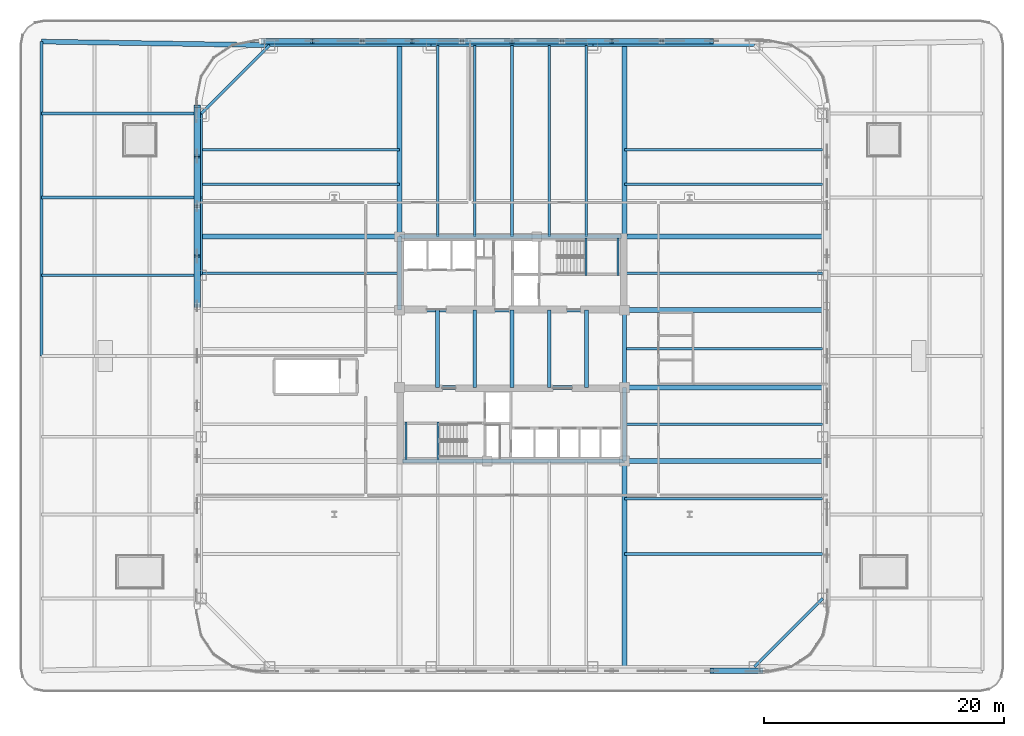
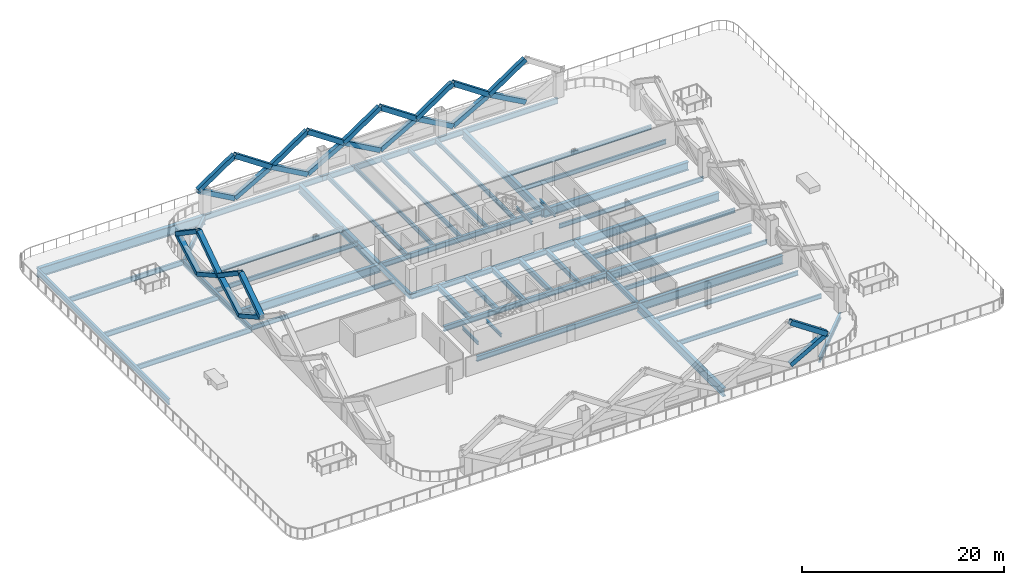
# One storey, part 2 of 17: 50 beams, 28 members.
"""IFC4 building model written with IfcOpenShell, lengths in metres."""

from ifc_helpers import new_model, si_unit, direction, frame, origin, origin_2d, place, context, subcontext, project, spatial, hollow_rectangle, i_section, extrude, material, material_profile, profile_set, type_object, element, save


model = new_model("IFC4")

# Units and contexts
model_context = context("Model", 3, precision=1e-05, world=origin(), true_north=direction((0.0, 1.0)))
body_context = subcontext(model_context, "Body", "Model", "MODEL_VIEW")
ifc_project = project(units=[si_unit("LENGTHUNIT", "METRE"), si_unit("AREAUNIT", "SQUARE_METRE"), si_unit("VOLUMEUNIT", "CUBIC_METRE"), si_unit("PLANEANGLEUNIT", "RADIAN"), si_unit("MASSUNIT", "GRAM", prefix="KILO")], contexts=[model_context])

# Site, building, storey
site_placement = place(None, origin())
site = spatial("IfcSite", under=ifc_project, at=site_placement, CompositionType="ELEMENT")
building_placement = place(site_placement, origin())
building = spatial("IfcBuilding", under=site, at=building_placement, Name="Qhalaya Broadcast Tower", CompositionType="ELEMENT")
storey_placement = place(building_placement, frame((0.0, 0.0, 26.10009765625)))
storey = spatial("IfcBuildingStorey", under=building, at=storey_placement, Name="L06", CompositionType="ELEMENT", Elevation=26.10009765625)

# Beams
ifc_material_1 = material(Name="Structural Steel ASTM A992 Grade 50", Category="steel")
ifc_material_profile_1 = material_profile(ifc_material_1, i_section(OverallWidth=0.22802734375, OverallDepth=0.60693359375, WebThickness=0.01123046875, FlangeThickness=0.017333984375, at=origin_2d()), Name="W24X76")
ifc_profile_set_1 = profile_set([ifc_material_profile_1], Name="Structural Steel ASTM A992 Grade 50")
beam_type_1 = type_object("IfcBeamType", Name="Composite Floor Joist J01", PredefinedType="JOIST", material=ifc_profile_set_1)
for number, where, z_axis, x_axis, name in (
    (1, (-39.199951171875, 6.7333984375, -0.523681640625), (1.0, 0.0, 0.0), (0.0, 1.0, 0.0), "L06 J01 L06-PRGW-+6.7"),
    (2, (-39.199951171875, 13.199951171875, -0.523681640625), (1.0, 0.0, 0.0), (0.0, 1.0, 0.0), "L06 J01 L06-PRGW-+13.2"),
    (3, (-39.199951171875, 20.199951171875, -0.523681640625), (1.0, 0.0, 0.0), (0.0, 1.0, 0.0), "L06 J01 L06-PRGW-+20.2"),
):
    element("IfcBeam", number, at=place(storey_placement, frame(where, z_axis=z_axis, x_axis=x_axis)), inside=storey, type_object=beam_type_1, Name=name, PredefinedType="JOIST", context=body_context, shape_type="SweptSolid", body=[
        extrude(i_section(OverallWidth=0.22802734375, OverallDepth=0.60693359375, WebThickness=0.01123046875, FlangeThickness=0.017333984375, at=origin_2d()), origin(), (0.0, 0.0, 1.0), 13.300048828125),
    ])
ifc_material_profile_2 = material_profile(ifc_material_1, i_section(OverallWidth=0.2099609375, OverallDepth=0.535888671875, WebThickness=0.010986328125, FlangeThickness=0.017333984375, at=origin_2d()), Name="W21X68")
ifc_profile_set_2 = profile_set([ifc_material_profile_2], Name="Structural Steel ASTM A992 Grade 50")
beam_type_2 = type_object("IfcBeamType", Name="Composite Floor Joist J02", PredefinedType="JOIST", material=ifc_profile_set_2)
for number, where, z_axis, x_axis, name in (
    (4, (-6.199951171875, 9.949951171875, -0.488037109375), (0.0, 1.0, 0.0), (-1.0, 0.0, 0.0), "L06 J02 L06-JNN1-1"),
    (5, (-3.10009765625, 9.949951171875, -0.488037109375), (0.0, 1.0, 0.0), (-1.0, 0.0, 0.0), "L06 J02 L06-JNN2-1"),
    (6, (0.0, 9.949951171875, -0.488037109375), (0.0, 1.0, 0.0), (-1.0, 0.0, 0.0), "L06 J02 L06-JNN3-1"),
    (7, (3.10009765625, 9.949951171875, -0.488037109375), (0.0, 1.0, 0.0), (-1.0, 0.0, 0.0), "L06 J02 L06-JNN4-1"),
    (8, (6.199951171875, 9.949951171875, -0.488037109375), (0.0, 1.0, 0.0), (-1.0, 0.0, 0.0), "L06 J02 L06-JNN5-1"),
):
    element("IfcBeam", number, at=place(storey_placement, frame(where, z_axis=z_axis, x_axis=x_axis)), inside=storey, type_object=beam_type_2, Name=name, PredefinedType="JOIST", context=body_context, shape_type="SweptSolid", body=[
        extrude(i_section(OverallWidth=0.2099609375, OverallDepth=0.535888671875, WebThickness=0.010986328125, FlangeThickness=0.017333984375, at=origin_2d()), origin(), (0.0, 0.0, 1.0), 15.929931640625),
    ])
for number, where, z_axis, x_axis, name in (
    (9, (9.375, -16.5, -0.488037109375), (1.0, 0.0, 0.0), (0.0, 1.0, 0.0), "L06 J02 L06-JWE1E-1"),
    (10, (9.375, -11.89990234375, -0.488037109375), (1.0, 0.0, 0.0), (0.0, 1.0, 0.0), "L06 J02 L06-JWE2E-1"),
    (11, (9.375, -5.699951171875, -0.488037109375), (1.0, 0.0, 0.0), (0.0, 1.0, 0.0), "L06 J02 L06-JWE3E-1"),
    (12, (9.375, 0.60009765625, -0.488037109375), (1.0, 0.0, 0.0), (0.0, 1.0, 0.0), "L06 J02 L06-JWE4E-1"),
    (13, (-25.8798828125, 6.89990234375, -0.488037109375), (1.0, 0.0, 0.0), (0.0, 1.0, 0.0), "L06 J02 L06-JWE5W-1"),
    (14, (9.375, 6.89990234375, -0.488037109375), (1.0, 0.0, 0.0), (0.0, 1.0, 0.0), "L06 J02 L06-JWE5E-1"),
    (15, (-25.8798828125, 14.300048828125, -0.488037109375), (1.0, 0.0, 0.0), (0.0, 1.0, 0.0), "L06 J02 L06-JWE6W-1"),
    (16, (9.375, 14.300048828125, -0.488037109375), (1.0, 0.0, 0.0), (0.0, 1.0, 0.0), "L06 J02 L06-JWE6E-1"),
    (17, (-25.8798828125, 17.199951171875, -0.488037109375), (1.0, 0.0, 0.0), (0.0, 1.0, 0.0), "L06 J02 L06-JWE7W-1"),
    (18, (9.375, 17.199951171875, -0.488037109375), (1.0, 0.0, 0.0), (0.0, 1.0, 0.0), "L06 J02 L06-JWE7E-1"),
):
    element("IfcBeam", number, at=place(storey_placement, frame(where, z_axis=z_axis, x_axis=x_axis)), inside=storey, type_object=beam_type_2, Name=name, PredefinedType="JOIST", context=body_context, shape_type="SweptSolid", body=[
        extrude(i_section(OverallWidth=0.2099609375, OverallDepth=0.535888671875, WebThickness=0.010986328125, FlangeThickness=0.017333984375, at=origin_2d()), origin(), (0.0, 0.0, 1.0), 16.5048828125),
    ])
ifc_material_profile_3 = material_profile(ifc_material_1, i_section(OverallWidth=0.323974609375, OverallDepth=0.612060546875, WebThickness=0.0126953125, FlangeThickness=0.01904296875, at=origin_2d()), Name="W24X104")
ifc_profile_set_3 = profile_set([ifc_material_profile_3], Name="Structural Steel ASTM A992 Grade 50")
beam_type_3 = type_object("IfcBeamType", Name="Core Frame Tie Beam B04", PredefinedType="BEAM", material=ifc_profile_set_3)
beam_1_placement = place(storey_placement, frame((-9.375, 3.824951171875, -0.526123046875), z_axis=(1.0, 0.0, 0.0), x_axis=(0.0, 1.0, 0.0)))
element("IfcBeam", 19, at=beam_1_placement, inside=storey, type_object=beam_type_3, Name="L06 B04 L06-CCN1", PredefinedType="BEAM", context=body_context, shape_type="SweptSolid", body=[
    extrude(i_section(OverallWidth=0.323974609375, OverallDepth=0.612060546875, WebThickness=0.0126953125, FlangeThickness=0.01904296875, at=origin_2d()), origin(), (0.0, 0.0, 1.0), 18.75),
])
beam_2_placement = place(storey_placement, frame((-9.375, 3.824951171875, -0.526123046875), z_axis=(0.0, 1.0, 0.0), x_axis=(-1.0, 0.0, 0.0)))
element("IfcBeam", 20, at=beam_2_placement, inside=storey, type_object=beam_type_3, Name="L06 B04 L06-CCN2", PredefinedType="BEAM", context=body_context, shape_type="SweptSolid", body=[
    extrude(i_section(OverallWidth=0.323974609375, OverallDepth=0.612060546875, WebThickness=0.0126953125, FlangeThickness=0.01904296875, at=origin_2d()), origin(), (0.0, 0.0, 1.0), 6.125),
])
beam_3_placement = place(storey_placement, frame((-9.375, 9.949951171875, -0.526123046875), z_axis=(1.0, 0.0, 0.0), x_axis=(0.0, 1.0, 0.0)))
element("IfcBeam", 21, at=beam_3_placement, inside=storey, type_object=beam_type_3, Name="L06 B04 L06-CCN3", PredefinedType="BEAM", context=body_context, shape_type="SweptSolid", body=[
    extrude(i_section(OverallWidth=0.323974609375, OverallDepth=0.612060546875, WebThickness=0.0126953125, FlangeThickness=0.01904296875, at=origin_2d()), origin(), (0.0, 0.0, 1.0), 18.4951171875),
])
beam_4_placement = place(storey_placement, frame((-9.375, -2.625, -0.526123046875), z_axis=(1.0, 0.0, 0.0), x_axis=(0.0, 1.0, 0.0)))
element("IfcBeam", 22, at=beam_4_placement, inside=storey, type_object=beam_type_3, Name="L06 B04 L06-CCS1", PredefinedType="BEAM", context=body_context, shape_type="SweptSolid", body=[
    extrude(i_section(OverallWidth=0.323974609375, OverallDepth=0.612060546875, WebThickness=0.0126953125, FlangeThickness=0.01904296875, at=origin_2d()), origin(), (0.0, 0.0, 1.0), 18.75),
])
beam_5_placement = place(storey_placement, frame((9.375, -8.75, -0.526123046875), z_axis=(0.0, 1.0, 0.0), x_axis=(-1.0, 0.0, 0.0)))
element("IfcBeam", 23, at=beam_5_placement, inside=storey, type_object=beam_type_3, Name="L06 B04 L06-CCS2", PredefinedType="BEAM", context=body_context, shape_type="SweptSolid", body=[
    extrude(i_section(OverallWidth=0.323974609375, OverallDepth=0.612060546875, WebThickness=0.0126953125, FlangeThickness=0.01904296875, at=origin_2d()), origin(), (0.0, 0.0, 1.0), 6.125),
])
beam_6_placement = place(storey_placement, frame((-9.1201171875, -8.75, -0.526123046875), z_axis=(1.0, 0.0, 0.0), x_axis=(0.0, 1.0, 0.0)))
element("IfcBeam", 24, at=beam_6_placement, inside=storey, type_object=beam_type_3, Name="L06 B04 L06-CCS3", PredefinedType="BEAM", context=body_context, shape_type="SweptSolid", body=[
    extrude(i_section(OverallWidth=0.323974609375, OverallDepth=0.612060546875, WebThickness=0.0126953125, FlangeThickness=0.01904296875, at=origin_2d()), origin(), (0.0, 0.0, 1.0), 18.4951171875),
])
for number, where, z_axis, x_axis, name in (
    (25, (9.375, -2.625, -0.526123046875), (0.0, 1.0, 0.0), (-1.0, 0.0, 0.0), "L06 B04 L06-CCE"),
    (26, (-6.199951171875, -2.625, -0.526123046875), (0.0, 1.0, 0.0), (-1.0, 0.0, 0.0), "L06 B04 L06-JC1-1"),
    (27, (-3.10009765625, -2.625, -0.526123046875), (0.0, 1.0, 0.0), (-1.0, 0.0, 0.0), "L06 B04 L06-JC2-1"),
    (28, (0.0, -2.625, -0.526123046875), (0.0, 1.0, 0.0), (-1.0, 0.0, 0.0), "L06 B04 L06-JC3-1"),
    (29, (3.10009765625, -2.625, -0.526123046875), (0.0, 1.0, 0.0), (-1.0, 0.0, 0.0), "L06 B04 L06-JC4-1"),
    (30, (6.199951171875, -2.625, -0.526123046875), (0.0, 1.0, 0.0), (-1.0, 0.0, 0.0), "L06 B04 L06-JC5-1"),
):
    element("IfcBeam", number, at=place(storey_placement, frame(where, z_axis=z_axis, x_axis=x_axis)), inside=storey, type_object=beam_type_3, Name=name, PredefinedType="BEAM", context=body_context, shape_type="SweptSolid", body=[
        extrude(i_section(OverallWidth=0.323974609375, OverallDepth=0.612060546875, WebThickness=0.0126953125, FlangeThickness=0.01904296875, at=origin_2d()), origin(), (0.0, 0.0, 1.0), 6.449951171875),
    ])

# Members
ifc_material_2 = material(Name="Structural Steel ASTM A572 Grade 50", Category="steel")
ifc_material_profile_4 = material_profile(ifc_material_2, hollow_rectangle(XDim=0.449951171875, YDim=0.550048828125, WallThickness=0.031982421875, at=origin_2d()), Name="BOX 450x550x32")
ifc_profile_set_4 = profile_set([ifc_material_profile_4], Name="Structural Steel ASTM A572 Grade 50")
member_type = type_object("IfcMemberType", Name="Exoskeleton Diamond Diagonal Lower EX1", PredefinedType="BRACE", material=ifc_profile_set_4)
member_1_placement = place(storey_placement, frame((16.639892578125, -26.239990234375, 0.35986328125), z_axis=(0.872471089532, 0.0, 0.488665732306), x_axis=(0.0, 1.0, 0.0)))
element("IfcMember", 31, at=member_1_placement, inside=storey, type_object=member_type, Name="B1 Exoskeleton Diamond Brace S5-D2", PredefinedType="BRACE", context=body_context, shape_type="SweptSolid", body=[
    extrude(hollow_rectangle(XDim=0.449951171875, YDim=0.550048828125, WallThickness=0.031982421875, at=origin_2d()), origin(), (0.0, 0.0, 1.0), 4.768310546875),
])
member_2_placement = place(storey_placement, frame((20.800048828125, -26.239990234375, 2.68994140625), z_axis=(-0.828668223168, 0.0, 0.559740096752), x_axis=(0.0, -1.0, 0.0)))
element("IfcMember", 32, at=member_2_placement, inside=storey, type_object=member_type, Name="B1 Exoskeleton Diamond Brace S5-D4", PredefinedType="BRACE", context=body_context, shape_type="SweptSolid", body=[
    extrude(hollow_rectangle(XDim=0.449951171875, YDim=0.550048828125, WallThickness=0.031982421875, at=origin_2d()), origin(), (0.0, 0.0, 1.0), 5.020263671875),
])
member_3_placement = place(storey_placement, frame((16.639892578125, 26.239990234375, 0.35986328125), z_axis=(-0.872458862126, 0.0, 0.488687562658), x_axis=(0.0, -1.0, 0.0)))
element("IfcMember", 33, at=member_3_placement, inside=storey, type_object=member_type, Name="B1 Exoskeleton Diamond Brace N1-D2", PredefinedType="BRACE", context=body_context, shape_type="SweptSolid", body=[
    extrude(hollow_rectangle(XDim=0.449951171875, YDim=0.550048828125, WallThickness=0.031982421875, at=origin_2d()), origin(), (0.0, 0.0, 1.0), 4.76806640625),
])
member_4_placement = place(storey_placement, frame((12.47998046875, 26.239990234375, 2.68994140625), z_axis=(0.828652985792, 0.0, 0.559762654291), x_axis=(0.0, 1.0, 0.0)))
element("IfcMember", 34, at=member_4_placement, inside=storey, type_object=member_type, Name="B1 Exoskeleton Diamond Brace N1-D4", PredefinedType="BRACE", context=body_context, shape_type="SweptSolid", body=[
    extrude(hollow_rectangle(XDim=0.449951171875, YDim=0.550048828125, WallThickness=0.031982421875, at=origin_2d()), origin(), (0.0, 0.0, 1.0), 5.02001953125),
])
member_5_placement = place(storey_placement, frame((8.320068359375, 26.239990234375, 0.35986328125), z_axis=(0.872458862126, 0.0, 0.488687562658), x_axis=(0.0, 1.0, 0.0)))
element("IfcMember", 35, at=member_5_placement, inside=storey, type_object=member_type, Name="B1 Exoskeleton Diamond Brace N2-D1", PredefinedType="BRACE", context=body_context, shape_type="SweptSolid", body=[
    extrude(hollow_rectangle(XDim=0.449951171875, YDim=0.550048828125, WallThickness=0.031982421875, at=origin_2d()), origin(), (0.0, 0.0, 1.0), 4.76806640625),
])
member_6_placement = place(storey_placement, frame((8.320068359375, 26.239990234375, 0.35986328125), z_axis=(-0.872471089532, 0.0, 0.488665732306), x_axis=(0.0, -1.0, 0.0)))
element("IfcMember", 36, at=member_6_placement, inside=storey, type_object=member_type, Name="B1 Exoskeleton Diamond Brace N2-D2", PredefinedType="BRACE", context=body_context, shape_type="SweptSolid", body=[
    extrude(hollow_rectangle(XDim=0.449951171875, YDim=0.550048828125, WallThickness=0.031982421875, at=origin_2d()), origin(), (0.0, 0.0, 1.0), 4.768310546875),
])
member_7_placement = place(storey_placement, frame((12.47998046875, 26.239990234375, 2.68994140625), z_axis=(-0.828652985792, 0.0, 0.559762654291), x_axis=(0.0, -1.0, 0.0)))
element("IfcMember", 37, at=member_7_placement, inside=storey, type_object=member_type, Name="B1 Exoskeleton Diamond Brace N2-D3", PredefinedType="BRACE", context=body_context, shape_type="SweptSolid", body=[
    extrude(hollow_rectangle(XDim=0.449951171875, YDim=0.550048828125, WallThickness=0.031982421875, at=origin_2d()), origin(), (0.0, 0.0, 1.0), 5.02001953125),
])
member_8_placement = place(storey_placement, frame((4.159912109375, 26.239990234375, 2.68994140625), z_axis=(0.828668223168, 0.0, 0.559740096752), x_axis=(0.0, 1.0, 0.0)))
element("IfcMember", 38, at=member_8_placement, inside=storey, type_object=member_type, Name="B1 Exoskeleton Diamond Brace N2-D4", PredefinedType="BRACE", context=body_context, shape_type="SweptSolid", body=[
    extrude(hollow_rectangle(XDim=0.449951171875, YDim=0.550048828125, WallThickness=0.031982421875, at=origin_2d()), origin(), (0.0, 0.0, 1.0), 5.020263671875),
])
for number, where, z_axis, x_axis, name in (
    (39, (0.0, 26.239990234375, 0.35986328125), (0.872458862126, 0.0, 0.488687562658), (0.0, 1.0, 0.0), "B1 Exoskeleton Diamond Brace N3-D1"),
    (40, (0.0, 26.239990234375, 0.35986328125), (-0.872458862126, 0.0, 0.488687562658), (0.0, -1.0, 0.0), "B1 Exoskeleton Diamond Brace N3-D2"),
):
    element("IfcMember", number, at=place(storey_placement, frame(where, z_axis=z_axis, x_axis=x_axis)), inside=storey, type_object=member_type, Name=name, PredefinedType="BRACE", context=body_context, shape_type="SweptSolid", body=[
        extrude(hollow_rectangle(XDim=0.449951171875, YDim=0.550048828125, WallThickness=0.031982421875, at=origin_2d()), origin(), (0.0, 0.0, 1.0), 4.76806640625),
    ])
for number, where, z_axis, x_axis, name in (
    (41, (4.159912109375, 26.239990234375, 2.68994140625), (-0.828652985792, 0.0, 0.559762654291), (0.0, -1.0, 0.0), "B1 Exoskeleton Diamond Brace N3-D3"),
    (42, (-4.159912109375, 26.239990234375, 2.68994140625), (0.828652985792, 0.0, 0.559762654291), (0.0, 1.0, 0.0), "B1 Exoskeleton Diamond Brace N3-D4"),
):
    element("IfcMember", number, at=place(storey_placement, frame(where, z_axis=z_axis, x_axis=x_axis)), inside=storey, type_object=member_type, Name=name, PredefinedType="BRACE", context=body_context, shape_type="SweptSolid", body=[
        extrude(hollow_rectangle(XDim=0.449951171875, YDim=0.550048828125, WallThickness=0.031982421875, at=origin_2d()), origin(), (0.0, 0.0, 1.0), 5.02001953125),
    ])
member_9_placement = place(storey_placement, frame((-8.320068359375, 26.239990234375, 0.35986328125), z_axis=(0.872471089532, 0.0, 0.488665732306), x_axis=(0.0, 1.0, 0.0)))
element("IfcMember", 43, at=member_9_placement, inside=storey, type_object=member_type, Name="B1 Exoskeleton Diamond Brace N4-D1", PredefinedType="BRACE", context=body_context, shape_type="SweptSolid", body=[
    extrude(hollow_rectangle(XDim=0.449951171875, YDim=0.550048828125, WallThickness=0.031982421875, at=origin_2d()), origin(), (0.0, 0.0, 1.0), 4.768310546875),
])
member_10_placement = place(storey_placement, frame((-8.320068359375, 26.239990234375, 0.35986328125), z_axis=(-0.872458862126, 0.0, 0.488687562658), x_axis=(0.0, -1.0, 0.0)))
element("IfcMember", 44, at=member_10_placement, inside=storey, type_object=member_type, Name="B1 Exoskeleton Diamond Brace N4-D2", PredefinedType="BRACE", context=body_context, shape_type="SweptSolid", body=[
    extrude(hollow_rectangle(XDim=0.449951171875, YDim=0.550048828125, WallThickness=0.031982421875, at=origin_2d()), origin(), (0.0, 0.0, 1.0), 4.76806640625),
])
member_11_placement = place(storey_placement, frame((-4.159912109375, 26.239990234375, 2.68994140625), z_axis=(-0.828668223168, 0.0, 0.559740096752), x_axis=(0.0, -1.0, 0.0)))
element("IfcMember", 45, at=member_11_placement, inside=storey, type_object=member_type, Name="B1 Exoskeleton Diamond Brace N4-D3", PredefinedType="BRACE", context=body_context, shape_type="SweptSolid", body=[
    extrude(hollow_rectangle(XDim=0.449951171875, YDim=0.550048828125, WallThickness=0.031982421875, at=origin_2d()), origin(), (0.0, 0.0, 1.0), 5.020263671875),
])
member_12_placement = place(storey_placement, frame((-12.47998046875, 26.239990234375, 2.68994140625), z_axis=(0.828652985792, 0.0, 0.559762654291), x_axis=(0.0, 1.0, 0.0)))
element("IfcMember", 46, at=member_12_placement, inside=storey, type_object=member_type, Name="B1 Exoskeleton Diamond Brace N4-D4", PredefinedType="BRACE", context=body_context, shape_type="SweptSolid", body=[
    extrude(hollow_rectangle(XDim=0.449951171875, YDim=0.550048828125, WallThickness=0.031982421875, at=origin_2d()), origin(), (0.0, 0.0, 1.0), 5.02001953125),
])
member_13_placement = place(storey_placement, frame((-16.639892578125, 26.239990234375, 0.35986328125), z_axis=(0.872458862126, 0.0, 0.488687562658), x_axis=(0.0, 1.0, 0.0)))
element("IfcMember", 47, at=member_13_placement, inside=storey, type_object=member_type, Name="B1 Exoskeleton Diamond Brace N5-D1", PredefinedType="BRACE", context=body_context, shape_type="SweptSolid", body=[
    extrude(hollow_rectangle(XDim=0.449951171875, YDim=0.550048828125, WallThickness=0.031982421875, at=origin_2d()), origin(), (0.0, 0.0, 1.0), 4.76806640625),
])
member_14_placement = place(storey_placement, frame((-16.639892578125, 26.239990234375, 0.35986328125), z_axis=(-0.872471089532, 0.0, 0.488665732306), x_axis=(0.0, -1.0, 0.0)))
element("IfcMember", 48, at=member_14_placement, inside=storey, type_object=member_type, Name="B1 Exoskeleton Diamond Brace N5-D2", PredefinedType="BRACE", context=body_context, shape_type="SweptSolid", body=[
    extrude(hollow_rectangle(XDim=0.449951171875, YDim=0.550048828125, WallThickness=0.031982421875, at=origin_2d()), origin(), (0.0, 0.0, 1.0), 4.768310546875),
])
member_15_placement = place(storey_placement, frame((-12.47998046875, 26.239990234375, 2.68994140625), z_axis=(-0.828652985792, 0.0, 0.559762654291), x_axis=(0.0, -1.0, 0.0)))
element("IfcMember", 49, at=member_15_placement, inside=storey, type_object=member_type, Name="B1 Exoskeleton Diamond Brace N5-D3", PredefinedType="BRACE", context=body_context, shape_type="SweptSolid", body=[
    extrude(hollow_rectangle(XDim=0.449951171875, YDim=0.550048828125, WallThickness=0.031982421875, at=origin_2d()), origin(), (0.0, 0.0, 1.0), 5.02001953125),
])
member_16_placement = place(storey_placement, frame((-20.800048828125, 26.239990234375, 2.68994140625), z_axis=(0.828668223168, 0.0, 0.559740096752), x_axis=(0.0, 1.0, 0.0)))
element("IfcMember", 50, at=member_16_placement, inside=storey, type_object=member_type, Name="B1 Exoskeleton Diamond Brace N5-D4", PredefinedType="BRACE", context=body_context, shape_type="SweptSolid", body=[
    extrude(hollow_rectangle(XDim=0.449951171875, YDim=0.550048828125, WallThickness=0.031982421875, at=origin_2d()), origin(), (0.0, 0.0, 1.0), 5.020263671875),
])
member_17_placement = place(storey_placement, frame((-26.239990234375, 16.639892578125, 0.35986328125), z_axis=(0.0, 0.872471089532, 0.488665732306), x_axis=(0.0, -0.488665732306, 0.872471089532)))
element("IfcMember", 51, at=member_17_placement, inside=storey, type_object=member_type, Name="B1 Exoskeleton Diamond Brace W1-D1", PredefinedType="BRACE", context=body_context, shape_type="SweptSolid", body=[
    extrude(hollow_rectangle(XDim=0.449951171875, YDim=0.550048828125, WallThickness=0.031982421875, at=origin_2d()), origin(), (0.0, 0.0, 1.0), 4.768310546875),
])
member_18_placement = place(storey_placement, frame((-26.239990234375, 16.639892578125, 0.35986328125), z_axis=(0.0, -0.872458862126, 0.488687562658), x_axis=(0.0, 0.488687562658, 0.872458862126)))
element("IfcMember", 52, at=member_18_placement, inside=storey, type_object=member_type, Name="B1 Exoskeleton Diamond Brace W1-D2", PredefinedType="BRACE", context=body_context, shape_type="SweptSolid", body=[
    extrude(hollow_rectangle(XDim=0.449951171875, YDim=0.550048828125, WallThickness=0.031982421875, at=origin_2d()), origin(), (0.0, 0.0, 1.0), 4.76806640625),
])
member_19_placement = place(storey_placement, frame((-26.239990234375, 20.800048828125, 2.68994140625), z_axis=(0.0, -0.828668223168, 0.559740096752), x_axis=(0.0, 0.559740096752, 0.828668223168)))
element("IfcMember", 53, at=member_19_placement, inside=storey, type_object=member_type, Name="B1 Exoskeleton Diamond Brace W1-D3", PredefinedType="BRACE", context=body_context, shape_type="SweptSolid", body=[
    extrude(hollow_rectangle(XDim=0.449951171875, YDim=0.550048828125, WallThickness=0.031982421875, at=origin_2d()), origin(), (0.0, 0.0, 1.0), 5.020263671875),
])
member_20_placement = place(storey_placement, frame((-26.239990234375, 12.47998046875, 2.68994140625), z_axis=(0.0, 0.828652985792, 0.559762654291), x_axis=(0.0, -0.559762654291, 0.828652985792)))
element("IfcMember", 54, at=member_20_placement, inside=storey, type_object=member_type, Name="B1 Exoskeleton Diamond Brace W1-D4", PredefinedType="BRACE", context=body_context, shape_type="SweptSolid", body=[
    extrude(hollow_rectangle(XDim=0.449951171875, YDim=0.550048828125, WallThickness=0.031982421875, at=origin_2d()), origin(), (0.0, 0.0, 1.0), 5.02001953125),
])
member_21_placement = place(storey_placement, frame((-26.239990234375, 8.320068359375, 0.35986328125), z_axis=(0.0, 0.872458862126, 0.488687562658), x_axis=(0.0, -0.488687562658, 0.872458862126)))
element("IfcMember", 55, at=member_21_placement, inside=storey, type_object=member_type, Name="B1 Exoskeleton Diamond Brace W2-D1", PredefinedType="BRACE", context=body_context, shape_type="SweptSolid", body=[
    extrude(hollow_rectangle(XDim=0.449951171875, YDim=0.550048828125, WallThickness=0.031982421875, at=origin_2d()), origin(), (0.0, 0.0, 1.0), 4.76806640625),
])
member_22_placement = place(storey_placement, frame((-26.239990234375, 8.320068359375, 0.35986328125), z_axis=(0.0, -0.872471089532, 0.488665732306), x_axis=(0.0, 0.488665732306, 0.872471089532)))
element("IfcMember", 56, at=member_22_placement, inside=storey, type_object=member_type, Name="B1 Exoskeleton Diamond Brace W2-D2", PredefinedType="BRACE", context=body_context, shape_type="SweptSolid", body=[
    extrude(hollow_rectangle(XDim=0.449951171875, YDim=0.550048828125, WallThickness=0.031982421875, at=origin_2d()), origin(), (0.0, 0.0, 1.0), 4.768310546875),
])
member_23_placement = place(storey_placement, frame((-26.239990234375, 12.47998046875, 2.68994140625), z_axis=(0.0, -0.828652985792, 0.559762654291), x_axis=(0.0, 0.559762654291, 0.828652985792)))
element("IfcMember", 57, at=member_23_placement, inside=storey, type_object=member_type, Name="B1 Exoskeleton Diamond Brace W2-D3", PredefinedType="BRACE", context=body_context, shape_type="SweptSolid", body=[
    extrude(hollow_rectangle(XDim=0.449951171875, YDim=0.550048828125, WallThickness=0.031982421875, at=origin_2d()), origin(), (0.0, 0.0, 1.0), 5.02001953125),
])
member_24_placement = place(storey_placement, frame((-26.239990234375, 4.159912109375, 2.68994140625), z_axis=(0.0, 0.828668223168, 0.559740096752), x_axis=(0.0, -0.559740096752, 0.828668223168)))
element("IfcMember", 58, at=member_24_placement, inside=storey, type_object=member_type, Name="B1 Exoskeleton Diamond Brace W2-D4", PredefinedType="BRACE", context=body_context, shape_type="SweptSolid", body=[
    extrude(hollow_rectangle(XDim=0.449951171875, YDim=0.550048828125, WallThickness=0.031982421875, at=origin_2d()), origin(), (0.0, 0.0, 1.0), 5.020263671875),
])

# Beams
ifc_material_profile_5 = material_profile(ifc_material_1, i_section(OverallWidth=0.40087890625, OverallDepth=1.010986328125, WebThickness=0.023681640625, FlangeThickness=0.0419921875, at=origin_2d()), Name="W40X297")
ifc_profile_set_5 = profile_set([ifc_material_profile_5], Name="Structural Steel ASTM A992 Grade 50")
beam_type_4 = type_object("IfcBeamType", Name="Lower Block Primary Girder PG2", PredefinedType="USERDEFINED", material=ifc_profile_set_5)
beam_7_placement = place(storey_placement, frame((-9.375, 9.949951171875, -0.7255859375), z_axis=(0.0, 1.0, 0.0), x_axis=(-1.0, 0.0, 0.0)))
element("IfcBeam", 59, at=beam_7_placement, inside=storey, type_object=beam_type_4, Name="L06 PG2 L06-PGXN1-1", ObjectType="GIRDER", PredefinedType="USERDEFINED", context=body_context, shape_type="SweptSolid", body=[
    extrude(i_section(OverallWidth=0.40087890625, OverallDepth=1.010986328125, WebThickness=0.023681640625, FlangeThickness=0.0419921875, at=origin_2d()), origin(), (0.0, 0.0, 1.0), 15.929931640625),
])
beam_8_placement = place(storey_placement, frame((9.375, -25.8798828125, -0.7255859375), z_axis=(0.0, 1.0, 0.0), x_axis=(-1.0, 0.0, 0.0)))
element("IfcBeam", 60, at=beam_8_placement, inside=storey, type_object=beam_type_4, Name="L06 PG2 L06-PGXS2-1", ObjectType="GIRDER", PredefinedType="USERDEFINED", context=body_context, shape_type="SweptSolid", body=[
    extrude(i_section(OverallWidth=0.40087890625, OverallDepth=1.010986328125, WebThickness=0.023681640625, FlangeThickness=0.0419921875, at=origin_2d()), origin(), (0.0, 0.0, 1.0), 17.1298828125),
])
beam_9_placement = place(storey_placement, frame((9.375, 9.949951171875, -0.7255859375), z_axis=(0.0, 1.0, 0.0), x_axis=(-1.0, 0.0, 0.0)))
element("IfcBeam", 61, at=beam_9_placement, inside=storey, type_object=beam_type_4, Name="L06 PG2 L06-PGXN2-1", ObjectType="GIRDER", PredefinedType="USERDEFINED", context=body_context, shape_type="SweptSolid", body=[
    extrude(i_section(OverallWidth=0.40087890625, OverallDepth=1.010986328125, WebThickness=0.023681640625, FlangeThickness=0.0419921875, at=origin_2d()), origin(), (0.0, 0.0, 1.0), 15.929931640625),
])
for number, where, z_axis, x_axis, name in (
    (62, (9.375, -8.75, -0.7255859375), (1.0, 0.0, 0.0), (0.0, 1.0, 0.0), "L06 PG2 L06-PGYE1-1"),
    (63, (9.375, -2.625, -0.7255859375), (1.0, 0.0, 0.0), (0.0, 1.0, 0.0), "L06 PG2 L06-PGYE2-1"),
    (64, (9.375, 3.824951171875, -0.7255859375), (1.0, 0.0, 0.0), (0.0, 1.0, 0.0), "L06 PG2 L06-PGYE3-1"),
    (65, (-25.8798828125, 9.949951171875, -0.7255859375), (1.0, 0.0, 0.0), (0.0, 1.0, 0.0), "L06 PG2 L06-PGYW4-1"),
    (66, (9.375, 9.949951171875, -0.7255859375), (1.0, 0.0, 0.0), (0.0, 1.0, 0.0), "L06 PG2 L06-PGYE4-1"),
):
    element("IfcBeam", number, at=place(storey_placement, frame(where, z_axis=z_axis, x_axis=x_axis)), inside=storey, type_object=beam_type_4, Name=name, ObjectType="GIRDER", PredefinedType="USERDEFINED", context=body_context, shape_type="SweptSolid", body=[
        extrude(i_section(OverallWidth=0.40087890625, OverallDepth=1.010986328125, WebThickness=0.023681640625, FlangeThickness=0.0419921875, at=origin_2d()), origin(), (0.0, 0.0, 1.0), 16.5048828125),
    ])
ifc_material_profile_6 = material_profile(ifc_material_1, i_section(OverallWidth=0.25390625, OverallDepth=0.68310546875, WebThickness=0.012451171875, FlangeThickness=0.01904296875, at=origin_2d()), Name="W27X94")
ifc_profile_set_6 = profile_set([ifc_material_profile_6], Name="Structural Steel ASTM A992 Grade 50")
beam_type_5 = type_object("IfcBeamType", Name="Perimeter Ring Spandrel Beam SP1", PredefinedType="SPANDREL", material=ifc_profile_set_6)
beam_10_placement = place(storey_placement, frame((20.199951171875, -25.89990234375, -0.5615234375), z_axis=(0.707106781187, 0.707106781187, 0.0), x_axis=(-0.707106781187, 0.707106781187, 0.0)))
element("IfcBeam", 67, at=beam_10_placement, inside=storey, type_object=beam_type_5, Name="L06 SP1 L06-SPR-04", PredefinedType="SPANDREL", context=body_context, shape_type="SweptSolid", body=[
    extrude(i_section(OverallWidth=0.25390625, OverallDepth=0.68310546875, WebThickness=0.012451171875, FlangeThickness=0.01904296875, at=origin_2d()), origin(), (0.0, 0.0, 1.0), 8.06103515625),
])
beam_11_placement = place(storey_placement, frame((20.199951171875, 25.89990234375, -0.5615234375), z_axis=(-1.0, 0.0, 0.0), x_axis=(0.0, -1.0, 0.0)))
element("IfcBeam", 68, at=beam_11_placement, inside=storey, type_object=beam_type_5, Name="L06 SP1 L06-SPR-09", PredefinedType="SPANDREL", context=body_context, shape_type="SweptSolid", body=[
    extrude(i_section(OverallWidth=0.25390625, OverallDepth=0.68310546875, WebThickness=0.012451171875, FlangeThickness=0.01904296875, at=origin_2d()), origin(), (0.0, 0.0, 1.0), 13.466552734375),
])
beam_12_placement = place(storey_placement, frame((6.7333984375, 25.89990234375, -0.5615234375), z_axis=(-1.0, 0.0, 0.0), x_axis=(0.0, -1.0, 0.0)))
element("IfcBeam", 69, at=beam_12_placement, inside=storey, type_object=beam_type_5, Name="L06 SP1 L06-SPR-10", PredefinedType="SPANDREL", context=body_context, shape_type="SweptSolid", body=[
    extrude(i_section(OverallWidth=0.25390625, OverallDepth=0.68310546875, WebThickness=0.012451171875, FlangeThickness=0.01904296875, at=origin_2d()), origin(), (0.0, 0.0, 1.0), 13.466796875),
])
beam_13_placement = place(storey_placement, frame((-6.7333984375, 25.89990234375, -0.5615234375), z_axis=(-1.0, 0.0, 0.0), x_axis=(0.0, -1.0, 0.0)))
element("IfcBeam", 70, at=beam_13_placement, inside=storey, type_object=beam_type_5, Name="L06 SP1 L06-SPR-11", PredefinedType="SPANDREL", context=body_context, shape_type="SweptSolid", body=[
    extrude(i_section(OverallWidth=0.25390625, OverallDepth=0.68310546875, WebThickness=0.012451171875, FlangeThickness=0.01904296875, at=origin_2d()), origin(), (0.0, 0.0, 1.0), 13.466552734375),
])
beam_14_placement = place(storey_placement, frame((-20.199951171875, 25.89990234375, -0.5615234375), z_axis=(-0.707106781187, -0.707106781187, 0.0), x_axis=(0.707106781187, -0.707106781187, 0.0)))
element("IfcBeam", 71, at=beam_14_placement, inside=storey, type_object=beam_type_5, Name="L06 SP1 L06-SPR-12", PredefinedType="SPANDREL", context=body_context, shape_type="SweptSolid", body=[
    extrude(i_section(OverallWidth=0.25390625, OverallDepth=0.68310546875, WebThickness=0.012451171875, FlangeThickness=0.01904296875, at=origin_2d()), origin(), (0.0, 0.0, 1.0), 8.06103515625),
])
beam_15_placement = place(storey_placement, frame((-25.89990234375, 20.199951171875, -0.5615234375), z_axis=(0.0, -1.0, 0.0), x_axis=(1.0, 0.0, 0.0)))
element("IfcBeam", 72, at=beam_15_placement, inside=storey, type_object=beam_type_5, Name="L06 SP1 L06-SPR-13", PredefinedType="SPANDREL", context=body_context, shape_type="SweptSolid", body=[
    extrude(i_section(OverallWidth=0.25390625, OverallDepth=0.68310546875, WebThickness=0.012451171875, FlangeThickness=0.01904296875, at=origin_2d()), origin(), (0.0, 0.0, 1.0), 13.466552734375),
])
beam_16_placement = place(storey_placement, frame((-39.199951171875, 0.0, -0.5615234375), z_axis=(0.0, 1.0, 0.0), x_axis=(-1.0, 0.0, 0.0)))
element("IfcBeam", 73, at=beam_16_placement, inside=storey, type_object=beam_type_5, Name="L06 SP1 L06-PRG-WW2", PredefinedType="SPANDREL", context=body_context, shape_type="SweptSolid", body=[
    extrude(i_section(OverallWidth=0.25390625, OverallDepth=0.68310546875, WebThickness=0.012451171875, FlangeThickness=0.01904296875, at=origin_2d()), origin(), (0.0, 0.0, 1.0), 26.199951171875),
])
ifc_material_profile_7 = material_profile(ifc_material_1, i_section(OverallWidth=0.404052734375, OverallDepth=1.117919921875, WebThickness=0.026123046875, FlangeThickness=0.044921875, at=origin_2d()), Name="W44X335")
ifc_profile_set_7 = profile_set([ifc_material_profile_7], Name="Structural Steel ASTM A992 Grade 50")
beam_type_6 = type_object("IfcBeamType", Name="Podium Long-Span Primary Girder PG1", PredefinedType="USERDEFINED", material=ifc_profile_set_7)
beam_17_placement = place(storey_placement, frame((-39.199951171875, 26.199951171875, -0.779052734375), z_axis=(0.999875328998, -0.015790074776, 0.0), x_axis=(0.015790074776, 0.999875328998, 0.0)))
element("IfcBeam", 74, at=beam_17_placement, inside=storey, type_object=beam_type_6, Name="L06 PG1 L06-PRG-WN", ObjectType="GIRDER", PredefinedType="USERDEFINED", context=body_context, shape_type="SweptSolid", body=[
    extrude(i_section(OverallWidth=0.404052734375, OverallDepth=1.117919921875, WebThickness=0.026123046875, FlangeThickness=0.044921875, at=origin_2d()), origin(), (0.0, 0.0, 1.0), 19.00244140625),
])
ifc_material_profile_8 = material_profile(ifc_material_1, i_section(OverallWidth=0.177978515625, OverallDepth=0.406005859375, WebThickness=0.0078125, FlangeThickness=0.0126953125, at=origin_2d()), Name="W16X40")
ifc_profile_set_8 = profile_set([ifc_material_profile_8], Name="Structural Steel ASTM A992 Grade 50")
beam_type_7 = type_object("IfcBeamType", Name="Upper Perimeter Spandrel Beam SP2", PredefinedType="SPANDREL", material=ifc_profile_set_8)
for number, where, z_axis, x_axis, name in (
    (75, (6.175048828125, 6.699951171875, 1.121826171875), (0.0, 1.0, 0.0), (-1.0, 0.0, 0.0), "L06 ST-1 Half-Landing Bearer Beam 1"),
    (76, (8.830078125, 6.699951171875, 1.121826171875), (0.0, 1.0, 0.0), (-1.0, 0.0, 0.0), "L06 ST-1 Half-Landing Bearer Beam 2"),
    (77, (-8.830078125, -8.6201171875, 1.121826171875), (0.0, 1.0, 0.0), (-1.0, 0.0, 0.0), "L06 ST-2 Half-Landing Bearer Beam 1"),
    (78, (-6.175048828125, -8.6201171875, 1.121826171875), (0.0, 1.0, 0.0), (-1.0, 0.0, 0.0), "L06 ST-2 Half-Landing Bearer Beam 2"),
):
    element("IfcBeam", number, at=place(storey_placement, frame(where, z_axis=z_axis, x_axis=x_axis)), inside=storey, type_object=beam_type_7, Name=name, PredefinedType="SPANDREL", context=body_context, shape_type="SweptSolid", body=[
        extrude(i_section(OverallWidth=0.177978515625, OverallDepth=0.406005859375, WebThickness=0.0078125, FlangeThickness=0.0126953125, at=origin_2d()), origin(), (0.0, 0.0, 1.0), 3.1201171875),
    ])

save(model, "model.ifc")
